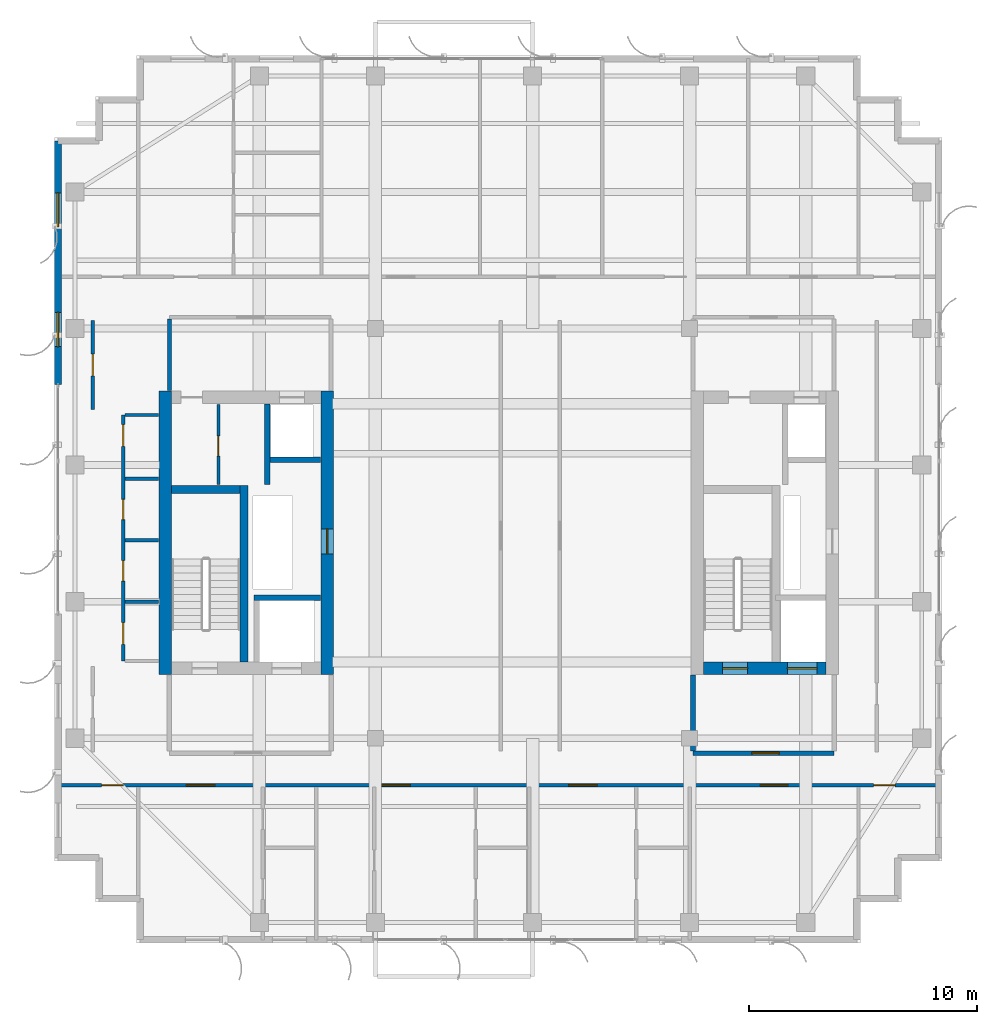
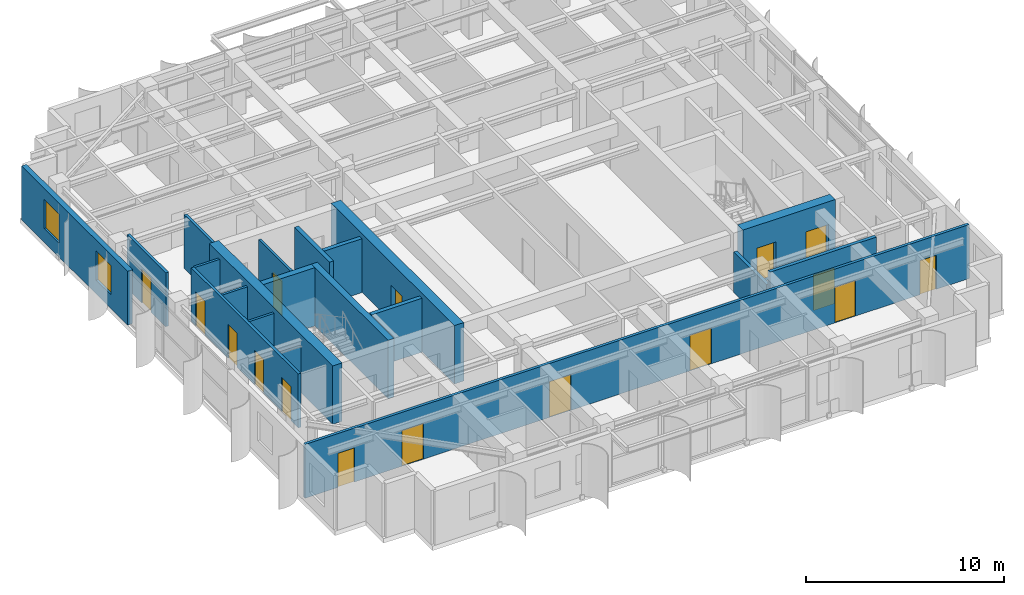
# One storey, part 19 of 23: 20 walls, 16 doors, 2 windows, 18 openings.
"""IFC4 building model written with IfcOpenShell, lengths in metres."""

import ifcopenshell
import ifcopenshell.guid

model = None  # the IFC model being written
_history = None  # IfcOwnerHistory: only IFC2X3 demands one
_inside = {}  # id of a spatial element -> (the spatial element, [elements in it])
_under = {}  # id of a project, library or spatial element -> (it, [spatial elements below it])
_declared = {}  # id of a project -> (the project, [libraries it declares])
_typed = {}  # id of a type object -> (the type object, [elements of that type])
_made_of = {}  # id of a material, layer set ... -> (it, [elements and type objects made of it])


def new_model(schema):
    """Start an empty IFC model of exactly this schema.

    Asked for "IFC4X3", IfcOpenShell would pick the latest addendum, in which some entities
    have other attributes; the version numbers below select the first issue.
    IFC2X3 requires an IfcOwnerHistory on every rooted entity: one is made here for all.
    """
    global model, _history
    if schema == "IFC4X3":
        model = ifcopenshell.file(schema_version=(4, 3, 0, 0))
    else:
        model = ifcopenshell.file(schema=schema)
    _inside.clear()
    _under.clear()
    _declared.clear()
    _typed.clear()
    _made_of.clear()
    _history = None
    if model.schema == "IFC2X3":
        org = make("IfcOrganization", Name="unknown")
        user = make(
            "IfcPersonAndOrganization",
            ThePerson=make("IfcPerson", FamilyName="unknown"),
            TheOrganization=org,
        )
        app = make(
            "IfcApplication",
            ApplicationDeveloper=org,
            Version="unknown",
            ApplicationFullName="unknown",
            ApplicationIdentifier="unknown",
        )
        _history = make(
            "IfcOwnerHistory",
            OwningUser=user,
            OwningApplication=app,
            ChangeAction="ADDED",
            CreationDate=0,
        )
    return model


def make(cls, **values):
    """One entity of the class cls with the attributes given. An attribute that is None is left unset."""
    return model.create_entity(
        cls, **{name: value for name, value in values.items() if value is not None}
    )


def rooted(cls, **values):
    """An entity with a GlobalId (a new one), such as an element, a storey or a relation."""
    return make(cls, GlobalId=ifcopenshell.guid.new(), OwnerHistory=_history, **values)


def si_unit(unit_type, name, prefix=None):
    """IfcSIUnit, for example si_unit("LENGTHUNIT", "METRE", prefix="MILLI")."""
    return make("IfcSIUnit", UnitType=unit_type, Prefix=prefix, Name=name)


def assignment(units):
    """IfcUnitAssignment: the units of a project."""
    return None if units is None else make("IfcUnitAssignment", Units=units)


def point(xyz):
    """IfcCartesianPoint."""
    return None if xyz is None else make("IfcCartesianPoint", Coordinates=xyz)


def direction(xyz):
    """IfcDirection."""
    return None if xyz is None else make("IfcDirection", DirectionRatios=xyz)


def frame(location, z_axis=None, x_axis=None):
    """IfcAxis2Placement3D, a coordinate frame: its origin and axes. An axis left out is left unset."""
    return make(
        "IfcAxis2Placement3D",
        Location=point(location),
        Axis=direction(z_axis),
        RefDirection=direction(x_axis),
    )


def frame_2d(location, x_axis=None):
    """IfcAxis2Placement2D, a coordinate frame in the plane: its origin and x axis."""
    return make(
        "IfcAxis2Placement2D", Location=point(location), RefDirection=direction(x_axis)
    )


def origin():
    """The frame at (0, 0, 0) with its axes left unset."""
    return frame((0.0, 0.0, 0.0))


def place(relative_to, where):
    """IfcLocalPlacement: puts the frame where relative to a parent placement (None: the world)."""
    return make(
        "IfcLocalPlacement", PlacementRelTo=relative_to, RelativePlacement=where
    )


def context(
    kind, dimensions, precision=None, world=None, true_north=None, identifier=None
):
    """IfcGeometricRepresentationContext, for example the 3D "Model" context."""
    return make(
        "IfcGeometricRepresentationContext",
        ContextIdentifier=identifier,
        ContextType=kind,
        CoordinateSpaceDimension=dimensions,
        Precision=precision,
        WorldCoordinateSystem=world,
        TrueNorth=true_north,
    )


def subcontext(parent, identifier, kind, view, scale=None):
    """IfcGeometricRepresentationSubContext, for example "Body" below "Model"."""
    return make(
        "IfcGeometricRepresentationSubContext",
        ContextIdentifier=identifier,
        ContextType=kind,
        ParentContext=parent,
        TargetScale=scale,
        TargetView=view,
    )


def project(units=None, contexts=None):
    """IfcProject with its units and contexts."""
    return rooted(
        "IfcProject",
        Name="project",
        RepresentationContexts=contexts,
        UnitsInContext=assignment(units),
    )


def spatial(cls, under=None, at=None, **own):
    """A site, building, storey or space (cls), placed at a placement, below another one or the project."""
    s = rooted(cls, ObjectPlacement=at, **own)
    if under is not None:
        _under.setdefault(under.id(), (under, []))[1].append(s)
    return s


def profile(cls, at=None, kind="AREA", **sizes):
    """A parametric profile (cls). Its sizes go by their IFC names, for example OverallWidth=200.0."""
    return make(cls, ProfileType=kind, Position=at, **sizes)


def rectangle(**sizes):
    """IfcRectangleProfileDef."""
    return profile("IfcRectangleProfileDef", **sizes)


def extrude(swept, where, along, depth):
    """IfcExtrudedAreaSolid: the profile swept, set in the frame where, extruded along a direction by depth."""
    return make(
        "IfcExtrudedAreaSolid",
        SweptArea=swept,
        Position=where,
        ExtrudedDirection=direction(along),
        Depth=depth,
    )


def shape(context_of_items, identifier, shape_type, items):
    """IfcShapeRepresentation: the items that make up one representation, for example the "Body"."""
    return make(
        "IfcShapeRepresentation",
        ContextOfItems=context_of_items,
        RepresentationIdentifier=identifier,
        RepresentationType=shape_type,
        Items=items,
    )


def source(mapping_origin, context_of_items, identifier, shape_type, items):
    """IfcRepresentationMap: a shape defined once, which mapped items show again and again."""
    return make(
        "IfcRepresentationMap",
        MappingOrigin=mapping_origin,
        MappedRepresentation=shape(context_of_items, identifier, shape_type, items),
    )


def transform(
    local_origin,
    x_axis=None,
    y_axis=None,
    z_axis=None,
    scale=None,
    scale2=None,
    scale3=None,
    uniform=True,
):
    """IfcCartesianTransformationOperator3D, or its non-uniform kind. x_axis, y_axis, z_axis: its Axis1, 2, 3."""
    if uniform:
        return make(
            "IfcCartesianTransformationOperator3D",
            Axis1=direction(x_axis),
            Axis2=direction(y_axis),
            LocalOrigin=point(local_origin),
            Scale=scale,
            Axis3=direction(z_axis),
        )
    return make(
        "IfcCartesianTransformationOperator3DnonUniform",
        Axis1=direction(x_axis),
        Axis2=direction(y_axis),
        LocalOrigin=point(local_origin),
        Scale=scale,
        Axis3=direction(z_axis),
        Scale2=scale2,
        Scale3=scale3,
    )


def mapped(mapping_source, mapping_target):
    """IfcMappedItem: shows the shape of a source again, moved by a transform."""
    return make(
        "IfcMappedItem", MappingSource=mapping_source, MappingTarget=mapping_target
    )


def material(Name=None, Category=None):
    """IfcMaterial."""
    return make("IfcMaterial", Name=Name, Category=Category)


def layer(
    of_material, thickness, ventilated=None, Name=None, Category=None, Priority=None
):
    """IfcMaterialLayer: one layer of a wall or slab, of a material (None: an air gap)."""
    return make(
        "IfcMaterialLayer",
        Material=of_material,
        LayerThickness=thickness,
        IsVentilated=ventilated,
        Name=Name,
        Category=Category,
        Priority=Priority,
    )


def layer_set(layers, Name=None):
    """IfcMaterialLayerSet."""
    return make("IfcMaterialLayerSet", MaterialLayers=layers, LayerSetName=Name)


def made_of(thing, what):
    """Note that an element or type object is made of a material, layer set ...; save() writes the relation."""
    if what is not None:
        _made_of.setdefault(what.id(), (what, []))[1].append(thing)
    return thing


def type_object(cls, material=None, **own):
    """A type object (cls), such as IfcWallType, which elements share."""
    return made_of(rooted(cls, **own), material)


def element(
    cls,
    number,
    at=None,
    inside=None,
    cuts=None,
    type_object=None,
    material=None,
    context=None,
    identifier="Body",
    shape_type=None,
    held_by="IfcProductDefinitionShape",
    body=None,
    shapes=None,
    **own,
):
    """One element of the class cls, such as IfcWall. Its Tag is "e" and its number.

    at: its placement. inside: the storey or other place that contains it. cuts: it is an
    opening in that element (IfcRelVoidsElement). A single representation is given by context,
    identifier, shape_type and body (its items); several are given by shapes. held_by: the class
    of the entity that holds the representations. save() writes the other relations.
    """
    e = rooted(cls, Tag="e%d" % number, ObjectPlacement=at, **own)
    if body is not None:
        shapes = [shape(context, identifier, shape_type, body)]
    if shapes is not None:
        e.Representation = make(held_by, Representations=shapes)
    if inside is not None:
        _inside.setdefault(inside.id(), (inside, []))[1].append(e)
    if cuts is not None:
        rooted(
            "IfcRelVoidsElement", RelatingBuildingElement=cuts, RelatedOpeningElement=e
        )
    if type_object is not None:
        _typed.setdefault(type_object.id(), (type_object, []))[1].append(e)
    return made_of(e, material)


def fill(opening, filler):
    """IfcRelFillsElement: the door or window that sits in an opening."""
    return rooted(
        "IfcRelFillsElement",
        RelatingOpeningElement=opening,
        RelatedBuildingElement=filler,
    )


def aggregate(whole, parts):
    """IfcRelAggregates: a whole, such as a stair, and the parts it consists of."""
    return rooted("IfcRelAggregates", RelatingObject=whole, RelatedObjects=parts)


def save(model, path):
    """Write the relations noted so far, then the file.

    IfcRelAggregates (storeys below a building ...), IfcRelContainedInSpatialStructure (elements
    in a storey), IfcRelDefinesByType, IfcRelAssociatesMaterial and IfcRelDeclares: one each for
    every whole, place, type object, material and project.
    """
    for whole, parts in _under.values():
        aggregate(whole, parts)
    for where, things in _inside.values():
        rooted(
            "IfcRelContainedInSpatialStructure",
            RelatedElements=things,
            RelatingStructure=where,
        )
    for kind, things in _typed.values():
        rooted("IfcRelDefinesByType", RelatedObjects=things, RelatingType=kind)
    for what, things in _made_of.values():
        rooted("IfcRelAssociatesMaterial", RelatedObjects=things, RelatingMaterial=what)
    for by, libraries in _declared.values():
        rooted("IfcRelDeclares", RelatingContext=by, RelatedDefinitions=libraries)
    model.write(path)


model = new_model("IFC4")

# Units and contexts
model_context = context("Model", 3, precision=1e-05, world=origin(), true_north=direction((0.0, 1.0)))
body_context = subcontext(model_context, "Body", "Model", "MODEL_VIEW")
ifc_project = project(units=[si_unit("LENGTHUNIT", "METRE"), si_unit("AREAUNIT", "SQUARE_METRE"), si_unit("VOLUMEUNIT", "CUBIC_METRE"), si_unit("PLANEANGLEUNIT", "RADIAN"), si_unit("MASSUNIT", "GRAM", prefix="KILO")], contexts=[model_context])

# Site, building, storey
site_placement = place(None, origin())
site = spatial("IfcSite", under=ifc_project, at=site_placement, CompositionType="ELEMENT")
building_placement = place(site_placement, origin())
building = spatial("IfcBuilding", under=site, at=building_placement, Name="Khoralis Quay Care Tower", CompositionType="ELEMENT")
storey_placement = place(building_placement, frame((0.0, 0.0, 270.89990234375)))
storey = spatial("IfcBuildingStorey", under=building, at=storey_placement, Name="L71", CompositionType="ELEMENT", Elevation=270.89990234375)

# Wall, opening, door
ifc_material_1 = material(Name="Gypsum plasterboard on acoustic metal stud")
ifc_layer_1 = layer(ifc_material_1, 0.199951171875)
ifc_layer_set_1 = layer_set([ifc_layer_1], Name="Gypsum plasterboard on acoustic metal stud")
wall_type_1 = type_object("IfcWallType", Name="WL-COMP-200", PredefinedType="PARTITIONING", material=ifc_layer_set_1)
wall_1_placement = place(storey_placement, frame((31.050048828125, 11.35009765625, 0.0), z_axis=(0.0, 0.0, 1.0), x_axis=(1.0, 0.0, 0.0)))
wall_1 = element("IfcWall", 1, at=wall_1_placement, inside=storey, type_object=wall_type_1, Name="L71 East Firefighting Lobby South Wall", PredefinedType="PARTITIONING", context=body_context, shape_type="SweptSolid", body=[
    extrude(rectangle(XDim=6.199951171875, YDim=0.199951171875, at=frame_2d((3.10009765625, 0.0))), origin(), (0.0, 0.0, 1.0), 3.320068359375),
])
opening_1_placement = place(wall_1_placement, frame((2.585693359375, 0.0, 0.0)))
opening_1 = element("IfcOpeningElement", 2, at=opening_1_placement, cuts=wall_1, Name="Opening FD1", PredefinedType="OPENING", context=body_context, shape_type="SweptSolid", body=[
    extrude(rectangle(XDim=1.199951171875, YDim=2.199951171875, at=frame_2d((0.60009765625, 1.10009765625))), frame((0.0, 0.10986328125, 0.0), z_axis=(0.0, -1.0, 0.0), x_axis=(1.0, 0.0, 0.0)), (0.0, 0.0, 1.0), 0.219970703125),
])
ifc_material_2 = material(Name="Fire-rated painted steel", Category="steel")
door_type_1 = type_object("IfcDoorType", Name="DR-FFL-1200X2200", OperationType="NOTDEFINED", PredefinedType="DOOR", material=ifc_material_2)
shared_shape_1 = source(origin(), body_context, "Body", "SweptSolid", [
    extrude(rectangle(XDim=1.199951171875, YDim=2.199951171875, at=frame_2d((0.60009765625, 1.10009765625))), frame((0.0, 0.02490234375, 0.0), z_axis=(0.0, -1.0, 0.0), x_axis=(1.0, 0.0, 0.0)), (0.0, 0.0, 1.0), 0.050048828125),
])
door_1_placement = place(opening_1_placement, origin())
door_1 = element("IfcDoor", 3, at=door_1_placement, inside=storey, type_object=door_type_1, Name="L71 East Firefighting Lobby Fire Door", OperationType="SINGLE_SWING_RIGHT", OverallHeight=2.199951171875, OverallWidth=1.199951171875, PredefinedType="DOOR", context=body_context, shape_type="MappedRepresentation", body=[
    mapped(shared_shape_1, transform((0.0, 0.0, 0.0), scale=1.0)),
])
fill(opening_1, door_1)

# Walls
wall_2_placement = place(storey_placement, frame((31.050048828125, 11.445068359375, 0.0), z_axis=(0.0, 0.0, 1.0), x_axis=(0.0, 1.0, 0.0)))
element("IfcWall", 4, at=wall_2_placement, inside=storey, type_object=wall_type_1, Name="L71 East Firefighting Lobby West Wall", PredefinedType="PARTITIONING", context=body_context, shape_type="SweptSolid", body=[
    extrude(rectangle(XDim=3.3349609375, YDim=0.199951171875, at=frame_2d((1.66748046875, 0.0))), origin(), (0.0, 0.0, 1.0), 2.47021484375),
])
ifc_material_3 = material(Name="Concrete C65/80", Category="concrete")
ifc_layer_2 = layer(ifc_material_3, 0.550048828125)
ifc_layer_set_2 = layer_set([ifc_layer_2], Name="Concrete C65/80")
wall_type_2 = type_object("IfcWallType", Name="WL-CORE-550", PredefinedType="SHEAR", material=ifc_layer_set_2)
wall_3_placement = place(storey_placement, frame((7.875, 14.800048828125, 0.0), z_axis=(0.0, 0.0, 1.0), x_axis=(0.0, 1.0, 0.0)))
element("IfcWall", 5, at=wall_3_placement, inside=storey, type_object=wall_type_2, Name="L71 WCORE West Shear Wall", PredefinedType="SHEAR", context=body_context, shape_type="SweptSolid", body=[
    extrude(rectangle(XDim=12.449951171875, YDim=0.550048828125, at=frame_2d((6.22509765625, 0.0))), origin(), (0.0, 0.0, 1.0), 3.60009765625),
])

# Wall, opening, door
wall_4_placement = place(storey_placement, frame((14.97509765625, 14.800048828125, 0.0), z_axis=(0.0, 0.0, 1.0), x_axis=(0.0, 1.0, 0.0)))
wall_4 = element("IfcWall", 6, at=wall_4_placement, inside=storey, type_object=wall_type_2, Name="L71 WCORE East Shear Wall", PredefinedType="SHEAR", context=body_context, shape_type="SweptSolid", body=[
    extrude(rectangle(XDim=12.449951171875, YDim=0.550048828125, at=frame_2d((6.22509765625, 0.0))), origin(), (0.0, 0.0, 1.0), 3.60009765625),
])
opening_2_placement = place(wall_4_placement, frame((5.300048828125, 0.0, 0.0)))
opening_2 = element("IfcOpeningElement", 7, at=opening_2_placement, cuts=wall_4, Name="Opening SD1", PredefinedType="OPENING", context=body_context, shape_type="SweptSolid", body=[
    extrude(rectangle(XDim=1.10009765625, YDim=2.199951171875, at=frame_2d((0.550048828125, 1.10009765625))), frame((0.0, 0.28515625, 0.0), z_axis=(0.0, -1.0, 0.0), x_axis=(1.0, 0.0, 0.0)), (0.0, 0.0, 1.0), 0.570068359375),
])
door_type_2 = type_object("IfcDoorType", Name="DR-STAIR-1100X2200", OperationType="NOTDEFINED", PredefinedType="DOOR", material=ifc_material_2)
shared_shape_2 = source(origin(), body_context, "Body", "SweptSolid", [
    extrude(rectangle(XDim=1.10009765625, YDim=2.199951171875, at=frame_2d((0.550048828125, 1.10009765625))), frame((0.0, 0.02490234375, 0.0), z_axis=(0.0, -1.0, 0.0), x_axis=(1.0, 0.0, 0.0)), (0.0, 0.0, 1.0), 0.050048828125),
])
door_2_placement = place(opening_2_placement, origin())
door_2 = element("IfcDoor", 8, at=door_2_placement, inside=storey, type_object=door_type_2, Name="L71 West MEP Riser Door", OperationType="SINGLE_SWING_LEFT", OverallHeight=2.199951171875, OverallWidth=1.10009765625, PredefinedType="DOOR", context=body_context, shape_type="MappedRepresentation", body=[
    mapped(shared_shape_2, transform((0.0, 0.0, 0.0), scale=1.0)),
])
fill(opening_2, door_2)

# Wall, openings, doors
wall_5_placement = place(storey_placement, frame((31.52001953125, 15.074951171875, 0.0), z_axis=(0.0, 0.0, 1.0), x_axis=(1.0, 0.0, 0.0)))
wall_5 = element("IfcWall", 9, at=wall_5_placement, inside=storey, type_object=wall_type_2, Name="L71 ECORE South Shear Wall", PredefinedType="SHEAR", context=body_context, shape_type="SweptSolid", body=[
    extrude(rectangle(XDim=5.3798828125, YDim=0.550048828125, at=frame_2d((2.68994140625, 0.0))), origin(), (0.0, 0.0, 1.0), 3.60009765625),
])
opening_3_placement = place(wall_5_placement, frame((0.830078125, 0.0, 0.0)))
opening_3 = element("IfcOpeningElement", 10, at=opening_3_placement, cuts=wall_5, Name="Opening SD1", PredefinedType="OPENING", context=body_context, shape_type="SweptSolid", body=[
    extrude(rectangle(XDim=1.10009765625, YDim=2.199951171875, at=frame_2d((0.550048828125, 1.10009765625))), frame((0.0, 0.28515625, 0.0), z_axis=(0.0, -1.0, 0.0), x_axis=(1.0, 0.0, 0.0)), (0.0, 0.0, 1.0), 0.570068359375),
])
opening_4_placement = place(wall_5_placement, frame((3.679931640625, 0.0, 0.0)))
opening_4 = element("IfcOpeningElement", 11, at=opening_4_placement, cuts=wall_5, Name="Opening LD2", PredefinedType="OPENING", context=body_context, shape_type="SweptSolid", body=[
    extrude(rectangle(XDim=1.300048828125, YDim=2.199951171875, at=frame_2d((0.64990234375, 1.10009765625))), frame((0.0, 0.28515625, 0.0), z_axis=(0.0, -1.0, 0.0), x_axis=(1.0, 0.0, 0.0)), (0.0, 0.0, 1.0), 0.570068359375),
])
door_3_placement = place(opening_3_placement, origin())
door_3 = element("IfcDoor", 12, at=door_3_placement, inside=storey, type_object=door_type_2, Name="L71 Stair ST-T2 Fire Door", OperationType="SINGLE_SWING_RIGHT", OverallHeight=2.199951171875, OverallWidth=1.10009765625, PredefinedType="DOOR", context=body_context, shape_type="MappedRepresentation", body=[
    mapped(shared_shape_2, transform((0.0, 0.0, 0.0), scale=1.0)),
])
fill(opening_3, door_3)
ifc_material_4 = material(Name="Brushed stainless steel", Category="steel")
door_type_3 = type_object("IfcDoorType", Name="DR-LIFT-1300X2200", OperationType="SLIDING_TO_RIGHT", PredefinedType="DOOR", material=ifc_material_4)
shared_shape_3 = source(origin(), body_context, "Body", "SweptSolid", [
    extrude(rectangle(XDim=1.300048828125, YDim=2.199951171875, at=frame_2d((0.64990234375, 1.10009765625))), frame((0.0, 0.02490234375, 0.0), z_axis=(0.0, -1.0, 0.0), x_axis=(1.0, 0.0, 0.0)), (0.0, 0.0, 1.0), 0.050048828125),
])
door_4_placement = place(opening_4_placement, origin())
door_4 = element("IfcDoor", 13, at=door_4_placement, inside=storey, type_object=door_type_3, Name="L71 Firefighting Lift FFL-2 Landing Door", OperationType="SLIDING_TO_RIGHT", OverallHeight=2.199951171875, OverallWidth=1.300048828125, PredefinedType="DOOR", context=body_context, shape_type="MappedRepresentation", body=[
    mapped(shared_shape_3, transform((0.0, 0.0, 0.0), scale=1.0)),
])
fill(opening_4, door_4)

# Wall
ifc_layer_3 = layer(ifc_material_1, 0.1650390625)
ifc_layer_set_3 = layer_set([ifc_layer_3], Name="Gypsum plasterboard on acoustic metal stud")
wall_type_3 = type_object("IfcWallType", Name="WL-CORR-165", PredefinedType="PARTITIONING", material=ifc_layer_set_3)
wall_6_placement = place(storey_placement, frame((8.050048828125, 27.27001953125, 0.0), z_axis=(0.0, 0.0, 1.0), x_axis=(0.0, 1.0, 0.0)))
element("IfcWall", 14, at=wall_6_placement, inside=storey, type_object=wall_type_3, Name="L71 West Lift Lobby West Wall", PredefinedType="PARTITIONING", context=body_context, shape_type="SweptSolid", body=[
    extrude(rectangle(XDim=3.152587890625, YDim=0.1650390625, at=frame_2d((1.576171875, 0.0))), origin(), (0.0, 0.0, 1.0), 3.320068359375),
])

# Wall, openings, doors
wall_7_placement = place(storey_placement, frame((6.02001953125, 15.39990234375, 0.0), z_axis=(0.0, 0.0, 1.0), x_axis=(0.0, 1.0, 0.0)))
wall_7 = element("IfcWall", 15, at=wall_7_placement, inside=storey, type_object=wall_type_3, Name="L71 West Core Service Flank Wall", PredefinedType="PARTITIONING", context=body_context, shape_type="SweptSolid", body=[
    extrude(rectangle(XDim=10.800048828125, YDim=0.1650390625, at=frame_2d((5.39990234375, 0.0))), origin(), (0.0, 0.0, 1.0), 3.320068359375),
])
opening_5_placement = place(wall_7_placement, frame((0.72509765625, 0.0, 0.0)))
opening_5 = element("IfcOpeningElement", 16, at=opening_5_placement, cuts=wall_7, Name="Opening ID1", PredefinedType="OPENING", context=body_context, shape_type="SweptSolid", body=[
    extrude(rectangle(XDim=0.949951171875, YDim=2.10009765625, at=frame_2d((0.47509765625, 1.050048828125))), frame((0.0, 0.092529296875, 0.0), z_axis=(0.0, -1.0, 0.0), x_axis=(1.0, 0.0, 0.0)), (0.0, 0.0, 1.0), 0.18505859375),
])
opening_6_placement = place(wall_7_placement, frame((3.5, 0.0, 0.0)))
opening_6 = element("IfcOpeningElement", 17, at=opening_6_placement, cuts=wall_7, Name="Opening WD1", PredefinedType="OPENING", context=body_context, shape_type="SweptSolid", body=[
    extrude(rectangle(XDim=0.89990234375, YDim=2.10009765625, at=frame_2d((0.449951171875, 1.050048828125))), frame((0.0, 0.092529296875, 0.0), z_axis=(0.0, -1.0, 0.0), x_axis=(1.0, 0.0, 0.0)), (0.0, 0.0, 1.0), 0.18505859375),
])
opening_7_placement = place(wall_7_placement, frame((6.199951171875, 0.0, 0.0)))
opening_7 = element("IfcOpeningElement", 18, at=opening_7_placement, cuts=wall_7, Name="Opening WD1", PredefinedType="OPENING", context=body_context, shape_type="SweptSolid", body=[
    extrude(rectangle(XDim=0.89990234375, YDim=2.10009765625, at=frame_2d((0.449951171875, 1.050048828125))), frame((0.0, 0.092529296875, 0.0), z_axis=(0.0, -1.0, 0.0), x_axis=(1.0, 0.0, 0.0)), (0.0, 0.0, 1.0), 0.18505859375),
])
opening_8_placement = place(wall_7_placement, frame((9.425048828125, 0.0, 0.0)))
opening_8 = element("IfcOpeningElement", 19, at=opening_8_placement, cuts=wall_7, Name="Opening ID1", PredefinedType="OPENING", context=body_context, shape_type="SweptSolid", body=[
    extrude(rectangle(XDim=0.949951171875, YDim=2.10009765625, at=frame_2d((0.47509765625, 1.050048828125))), frame((0.0, 0.092529296875, 0.0), z_axis=(0.0, -1.0, 0.0), x_axis=(1.0, 0.0, 0.0)), (0.0, 0.0, 1.0), 0.18505859375),
])
ifc_material_5 = material(Name="Acoustic hardwood timber", Category="wood")
door_type_4 = type_object("IfcDoorType", Name="DR-BATH-900X2100", OperationType="NOTDEFINED", PredefinedType="DOOR", material=ifc_material_5)
shared_shape_4 = source(origin(), body_context, "Body", "SweptSolid", [
    extrude(rectangle(XDim=0.89990234375, YDim=2.10009765625, at=frame_2d((0.449951171875, 1.050048828125))), frame((0.0, 0.02490234375, 0.0), z_axis=(0.0, -1.0, 0.0), x_axis=(1.0, 0.0, 0.0)), (0.0, 0.0, 1.0), 0.050048828125),
])
door_5_placement = place(opening_6_placement, frame((0.89990234375, 0.0, 0.0), z_axis=(0.0, 0.0, 1.0), x_axis=(-1.0, 0.0, 0.0)))
door_5 = element("IfcDoor", 20, at=door_5_placement, inside=storey, type_object=door_type_4, Name="L71 Public Accessible WC Door", OperationType="SINGLE_SWING_LEFT", OverallHeight=2.10009765625, OverallWidth=0.89990234375, PredefinedType="DOOR", context=body_context, shape_type="MappedRepresentation", body=[
    mapped(shared_shape_4, transform((0.0, 0.0, 0.0), scale=1.0)),
])
fill(opening_6, door_5)
door_6_placement = place(opening_7_placement, frame((0.89990234375, 0.0, 0.0), z_axis=(0.0, 0.0, 1.0), x_axis=(-1.0, 0.0, 0.0)))
door_6 = element("IfcDoor", 21, at=door_6_placement, inside=storey, type_object=door_type_4, Name="L71 Staff Accessible WC Door", OperationType="SINGLE_SWING_RIGHT", OverallHeight=2.10009765625, OverallWidth=0.89990234375, PredefinedType="DOOR", context=body_context, shape_type="MappedRepresentation", body=[
    mapped(shared_shape_4, transform((0.0, 0.0, 0.0), scale=1.0)),
])
fill(opening_7, door_6)
door_type_5 = type_object("IfcDoorType", Name="DR-ROOM-950X2100", OperationType="NOTDEFINED", PredefinedType="DOOR", material=ifc_material_5)
shared_shape_5 = source(origin(), body_context, "Body", "SweptSolid", [
    extrude(rectangle(XDim=0.949951171875, YDim=2.10009765625, at=frame_2d((0.47509765625, 1.050048828125))), frame((0.0, 0.02490234375, 0.0), z_axis=(0.0, -1.0, 0.0), x_axis=(1.0, 0.0, 0.0)), (0.0, 0.0, 1.0), 0.050048828125),
])
door_7_placement = place(opening_5_placement, frame((0.949951171875, 0.0, 0.0), z_axis=(0.0, 0.0, 1.0), x_axis=(-1.0, 0.0, 0.0)))
door_7 = element("IfcDoor", 22, at=door_7_placement, inside=storey, type_object=door_type_5, Name="L71 Housekeeping Store Door", OperationType="SINGLE_SWING_RIGHT", OverallHeight=2.10009765625, OverallWidth=0.949951171875, PredefinedType="DOOR", context=body_context, shape_type="MappedRepresentation", body=[
    mapped(shared_shape_5, transform((0.0, 0.0, 0.0), scale=1.0)),
])
fill(opening_5, door_7)
door_8_placement = place(opening_8_placement, frame((0.949951171875, 0.0, 0.0), z_axis=(0.0, 0.0, 1.0), x_axis=(-1.0, 0.0, 0.0)))
door_8 = element("IfcDoor", 23, at=door_8_placement, inside=storey, type_object=door_type_5, Name="L71 Telecom IDF Room Door", OperationType="SINGLE_SWING_LEFT", OverallHeight=2.10009765625, OverallWidth=0.949951171875, PredefinedType="DOOR", context=body_context, shape_type="MappedRepresentation", body=[
    mapped(shared_shape_5, transform((0.0, 0.0, 0.0), scale=1.0)),
])
fill(opening_8, door_8)

wall_8_placement = place(storey_placement, frame((3.14501953125, 9.93994140625, 0.0), z_axis=(0.0, 0.0, 1.0), x_axis=(1.0, 0.0, 0.0)))
wall_8 = element("IfcWall", 24, at=wall_8_placement, inside=storey, type_object=wall_type_3, Name="L71 South Main Corridor Wall", PredefinedType="PARTITIONING", context=body_context, shape_type="SweptSolid", body=[
    extrude(rectangle(XDim=38.7099609375, YDim=0.1650390625, at=frame_2d((19.35498046875, 0.0))), origin(), (0.0, 0.0, 1.0), 3.320068359375),
])
opening_9_placement = place(wall_8_placement, frame((5.64501953125, 0.0, 0.0)))
opening_9 = element("IfcOpeningElement", 25, at=opening_9_placement, cuts=wall_8, Name="Opening CD1", PredefinedType="OPENING", context=body_context, shape_type="SweptSolid", body=[
    extrude(rectangle(XDim=1.25, YDim=2.199951171875, at=frame_2d((0.625, 1.10009765625))), frame((0.0, 0.092529296875, 0.0), z_axis=(0.0, -1.0, 0.0), x_axis=(1.0, 0.0, 0.0)), (0.0, 0.0, 1.0), 0.18505859375),
])
opening_10_placement = place(wall_8_placement, frame((14.235107421875, 0.0, 0.0)))
opening_10 = element("IfcOpeningElement", 26, at=opening_10_placement, cuts=wall_8, Name="Opening CD1", PredefinedType="OPENING", context=body_context, shape_type="SweptSolid", body=[
    extrude(rectangle(XDim=1.25, YDim=2.199951171875, at=frame_2d((0.625, 1.10009765625))), frame((0.0, 0.092529296875, 0.0), z_axis=(0.0, -1.0, 0.0), x_axis=(1.0, 0.0, 0.0)), (0.0, 0.0, 1.0), 0.18505859375),
])
opening_11_placement = place(wall_8_placement, frame((22.43994140625, 0.0, 0.0)))
opening_11 = element("IfcOpeningElement", 27, at=opening_11_placement, cuts=wall_8, Name="Opening CD1", PredefinedType="OPENING", context=body_context, shape_type="SweptSolid", body=[
    extrude(rectangle(XDim=1.25, YDim=2.199951171875, at=frame_2d((0.625, 1.10009765625))), frame((0.0, 0.092529296875, 0.0), z_axis=(0.0, -1.0, 0.0), x_axis=(1.0, 0.0, 0.0)), (0.0, 0.0, 1.0), 0.18505859375),
])
opening_12_placement = place(wall_8_placement, frame((30.8701171875, 0.0, 0.0)))
opening_12 = element("IfcOpeningElement", 28, at=opening_12_placement, cuts=wall_8, Name="Opening FD1", PredefinedType="OPENING", context=body_context, shape_type="SweptSolid", body=[
    extrude(rectangle(XDim=1.199951171875, YDim=2.199951171875, at=frame_2d((0.60009765625, 1.10009765625))), frame((0.0, 0.092529296875, 0.0), z_axis=(0.0, -1.0, 0.0), x_axis=(1.0, 0.0, 0.0)), (0.0, 0.0, 1.0), 0.18505859375),
])
opening_13_placement = place(wall_8_placement, frame((1.919921875, 0.0, 0.0)))
opening_13 = element("IfcOpeningElement", 29, at=opening_13_placement, cuts=wall_8, Name="Opening ID1", PredefinedType="OPENING", context=body_context, shape_type="SweptSolid", body=[
    extrude(rectangle(XDim=0.949951171875, YDim=2.10009765625, at=frame_2d((0.47509765625, 1.050048828125))), frame((0.0, 0.092529296875, 0.0), z_axis=(0.0, -1.0, 0.0), x_axis=(1.0, 0.0, 0.0)), (0.0, 0.0, 1.0), 0.18505859375),
])
opening_14_placement = place(wall_8_placement, frame((35.840087890625, 0.0, 0.0)))
opening_14 = element("IfcOpeningElement", 30, at=opening_14_placement, cuts=wall_8, Name="Opening ID1", PredefinedType="OPENING", context=body_context, shape_type="SweptSolid", body=[
    extrude(rectangle(XDim=0.949951171875, YDim=2.10009765625, at=frame_2d((0.47509765625, 1.050048828125))), frame((0.0, 0.092529296875, 0.0), z_axis=(0.0, -1.0, 0.0), x_axis=(1.0, 0.0, 0.0)), (0.0, 0.0, 1.0), 0.18505859375),
])
door_9_placement = place(opening_12_placement, frame((1.199951171875, 0.0, 0.0), z_axis=(0.0, 0.0, 1.0), x_axis=(-1.0, 0.0, 0.0)))
door_9 = element("IfcDoor", 31, at=door_9_placement, inside=storey, type_object=door_type_1, Name="L71 Assisted Communal Dining Room Door", OperationType="DOUBLE_DOOR_SINGLE_SWING", OverallHeight=2.199951171875, OverallWidth=1.199951171875, PredefinedType="DOOR", context=body_context, shape_type="MappedRepresentation", body=[
    mapped(shared_shape_1, transform((0.0, 0.0, 0.0), scale=1.0)),
])
fill(opening_12, door_9)
door_type_6 = type_object("IfcDoorType", Name="DR-CARE-1250X2200", OperationType="NOTDEFINED", PredefinedType="DOOR", material=ifc_material_5)
shared_shape_6 = source(origin(), body_context, "Body", "SweptSolid", [
    extrude(rectangle(XDim=1.25, YDim=2.199951171875, at=frame_2d((0.625, 1.10009765625))), frame((0.0, 0.02490234375, 0.0), z_axis=(0.0, -1.0, 0.0), x_axis=(1.0, 0.0, 0.0)), (0.0, 0.0, 1.0), 0.050048828125),
])
door_10_placement = place(opening_9_placement, frame((1.25, 0.0, 0.0), z_axis=(0.0, 0.0, 1.0), x_axis=(-1.0, 0.0, 0.0)))
door_10 = element("IfcDoor", 32, at=door_10_placement, inside=storey, type_object=door_type_6, Name="L71 Care Suite SB0 Clinical Door", OperationType="SINGLE_SWING_LEFT", OverallHeight=2.199951171875, OverallWidth=1.25, PredefinedType="DOOR", context=body_context, shape_type="MappedRepresentation", body=[
    mapped(shared_shape_6, transform((0.0, 0.0, 0.0), scale=1.0)),
])
fill(opening_9, door_10)
door_11_placement = place(opening_10_placement, frame((1.25, 0.0, 0.0), z_axis=(0.0, 0.0, 1.0), x_axis=(-1.0, 0.0, 0.0)))
door_11 = element("IfcDoor", 33, at=door_11_placement, inside=storey, type_object=door_type_6, Name="L71 Care Suite SB1 Clinical Door", OperationType="SINGLE_SWING_RIGHT", OverallHeight=2.199951171875, OverallWidth=1.25, PredefinedType="DOOR", context=body_context, shape_type="MappedRepresentation", body=[
    mapped(shared_shape_6, transform((0.0, 0.0, 0.0), scale=1.0)),
])
fill(opening_10, door_11)
door_12_placement = place(opening_11_placement, frame((1.25, 0.0, 0.0), z_axis=(0.0, 0.0, 1.0), x_axis=(-1.0, 0.0, 0.0)))
door_12 = element("IfcDoor", 34, at=door_12_placement, inside=storey, type_object=door_type_6, Name="L71 Care Suite SB2 Clinical Door", OperationType="SINGLE_SWING_LEFT", OverallHeight=2.199951171875, OverallWidth=1.25, PredefinedType="DOOR", context=body_context, shape_type="MappedRepresentation", body=[
    mapped(shared_shape_6, transform((0.0, 0.0, 0.0), scale=1.0)),
])
fill(opening_11, door_12)
door_13_placement = place(opening_13_placement, frame((0.949951171875, 0.0, 0.0), z_axis=(0.0, 0.0, 1.0), x_axis=(-1.0, 0.0, 0.0)))
door_13 = element("IfcDoor", 35, at=door_13_placement, inside=storey, type_object=door_type_5, Name="L71 SW Corner Door", OperationType="SINGLE_SWING_LEFT", OverallHeight=2.10009765625, OverallWidth=0.949951171875, PredefinedType="DOOR", context=body_context, shape_type="MappedRepresentation", body=[
    mapped(shared_shape_5, transform((0.0, 0.0, 0.0), scale=1.0)),
])
fill(opening_13, door_13)
door_14_placement = place(opening_14_placement, frame((0.949951171875, 0.0, 0.0), z_axis=(0.0, 0.0, 1.0), x_axis=(-1.0, 0.0, 0.0)))
door_14 = element("IfcDoor", 36, at=door_14_placement, inside=storey, type_object=door_type_5, Name="L71 SE Corner Door", OperationType="SINGLE_SWING_RIGHT", OverallHeight=2.10009765625, OverallWidth=0.949951171875, PredefinedType="DOOR", context=body_context, shape_type="MappedRepresentation", body=[
    mapped(shared_shape_5, transform((0.0, 0.0, 0.0), scale=1.0)),
])
fill(opening_14, door_14)

# Wall, opening, door
wall_9_placement = place(storey_placement, frame((4.679931640625, 26.449951171875, 0.0), z_axis=(0.0, 0.0, 1.0), x_axis=(0.0, 1.0, 0.0)))
wall_9 = element("IfcWall", 37, at=wall_9_placement, inside=storey, type_object=wall_type_3, Name="L71 West Sky Sunroom North Wall", PredefinedType="PARTITIONING", context=body_context, shape_type="SweptSolid", body=[
    extrude(rectangle(XDim=3.900146484375, YDim=0.1650390625, at=frame_2d((1.9501953125, 0.0))), origin(), (0.0, 0.0, 1.0), 3.320068359375),
])
opening_15_placement = place(wall_9_placement, frame((1.47509765625, 0.0, 0.0)))
opening_15 = element("IfcOpeningElement", 38, at=opening_15_placement, cuts=wall_9, Name="Opening ID1", PredefinedType="OPENING", context=body_context, shape_type="SweptSolid", body=[
    extrude(rectangle(XDim=0.949951171875, YDim=2.10009765625, at=frame_2d((0.47509765625, 1.050048828125))), frame((0.0, 0.092529296875, 0.0), z_axis=(0.0, -1.0, 0.0), x_axis=(1.0, 0.0, 0.0)), (0.0, 0.0, 1.0), 0.18505859375),
])
door_15_placement = place(opening_15_placement, frame((0.949951171875, 0.0, 0.0), z_axis=(0.0, 0.0, 1.0), x_axis=(-1.0, 0.0, 0.0)))
door_15 = element("IfcDoor", 39, at=door_15_placement, inside=storey, type_object=door_type_5, Name="L71 West Study Door", OperationType="SINGLE_SWING_RIGHT", OverallHeight=2.10009765625, OverallWidth=0.949951171875, PredefinedType="DOOR", context=body_context, shape_type="MappedRepresentation", body=[
    mapped(shared_shape_5, transform((0.0, 0.0, 0.0), scale=1.0)),
])
fill(opening_15, door_15)

# Wall, openings, windows
ifc_material_6 = material(Name="Precast concrete C45/55", Category="concrete")
ifc_layer_4 = layer(ifc_material_6, 0.300048828125)
ifc_layer_set_4 = layer_set([ifc_layer_4], Name="Precast concrete C45/55")
wall_type_4 = type_object("IfcWallType", Name="WL-EXT-REF-300", PredefinedType="SOLIDWALL", material=ifc_layer_set_4)
wall_10_placement = place(storey_placement, frame((3.14990234375, 38.25, 0.0), z_axis=(0.0, 0.0, 1.0), x_axis=(0.0, -1.0, 0.0)))
wall_10 = element("IfcWall", 40, at=wall_10_placement, inside=storey, type_object=wall_type_4, Name="L71 External Facade Wall WL-EXT-L71-P1-E15A", PredefinedType="SOLIDWALL", context=body_context, shape_type="SweptSolid", body=[
    extrude(rectangle(XDim=10.7099609375, YDim=0.300048828125, at=frame_2d((5.35498046875, 0.0))), origin(), (0.0, 0.0, 1.0), 3.320068359375),
])
opening_16_placement = place(wall_10_placement, frame((2.284912109375, 0.0, 0.85009765625)))
opening_16 = element("IfcOpeningElement", 41, at=opening_16_placement, cuts=wall_10, Name="Opening W3", PredefinedType="OPENING", context=body_context, shape_type="SweptSolid", body=[
    extrude(rectangle(XDim=1.5, YDim=1.800048828125, at=frame_2d((0.75, 0.89990234375))), frame((0.0, 0.16015625, 0.0), z_axis=(0.0, -1.0, 0.0), x_axis=(1.0, 0.0, 0.0)), (0.0, 0.0, 1.0), 0.320068359375),
])
opening_17_placement = place(wall_10_placement, frame((7.5400390625, 0.0, 0.85009765625)))
opening_17 = element("IfcOpeningElement", 42, at=opening_17_placement, cuts=wall_10, Name="Opening W3", PredefinedType="OPENING", context=body_context, shape_type="SweptSolid", body=[
    extrude(rectangle(XDim=1.5, YDim=1.800048828125, at=frame_2d((0.75, 0.89990234375))), frame((0.0, 0.16015625, 0.0), z_axis=(0.0, -1.0, 0.0), x_axis=(1.0, 0.0, 0.0)), (0.0, 0.0, 1.0), 0.320068359375),
])
ifc_material_7 = material(Name="Low-E solar-control double glazing", Category="glass")
window_type = type_object("IfcWindowType", Name="WN-CLIN-1500X1800", PartitioningType="SINGLE_PANEL", PredefinedType="WINDOW", material=ifc_material_7)
shared_shape_7 = source(origin(), body_context, "Body", "SweptSolid", [
    extrude(rectangle(XDim=1.5, YDim=1.800048828125, at=frame_2d((0.75, 0.89990234375))), frame((0.0, 0.030029296875, 0.0), z_axis=(0.0, -1.0, 0.0), x_axis=(1.0, 0.0, 0.0)), (0.0, 0.0, 1.0), 0.06005859375),
])
window_1_placement = place(opening_16_placement, origin())
window_1 = element("IfcWindow", 43, at=window_1_placement, inside=storey, type_object=window_type, Name="WN-L71-P1-E15A Facade Window 01", OverallHeight=1.800048828125, OverallWidth=1.5, PartitioningType="SINGLE_PANEL", PredefinedType="WINDOW", context=body_context, shape_type="MappedRepresentation", body=[
    mapped(shared_shape_7, transform((0.0, 0.0, 0.0), scale=1.0)),
])
fill(opening_16, window_1)
window_2_placement = place(opening_17_placement, origin())
window_2 = element("IfcWindow", 44, at=window_2_placement, inside=storey, type_object=window_type, Name="WN-L71-P1-E15A Facade Window 02", OverallHeight=1.800048828125, OverallWidth=1.5, PartitioningType="SINGLE_PANEL", PredefinedType="WINDOW", context=body_context, shape_type="MappedRepresentation", body=[
    mapped(shared_shape_7, transform((0.0, 0.0, 0.0), scale=1.0)),
])
fill(opening_17, window_2)

# Walls
ifc_material_8 = material(Name="Moisture-resistant gypsum and ceramic tile")
ifc_layer_5 = layer(ifc_material_8, 0.280029296875)
ifc_layer_set_5 = layer_set([ifc_layer_5], Name="Moisture-resistant gypsum and ceramic tile")
wall_type_5 = type_object("IfcWallType", Name="WL-PLUMB-280", PredefinedType="PLUMBINGWALL", material=ifc_layer_set_5)
wall_11_placement = place(storey_placement, frame((6.097412109375, 18.0, 0.0), z_axis=(0.0, 0.0, 1.0), x_axis=(1.0, 0.0, 0.0)))
element("IfcWall", 45, at=wall_11_placement, inside=storey, type_object=wall_type_5, Name="L71 West Flank Divider 1", PredefinedType="PLUMBINGWALL", context=body_context, shape_type="SweptSolid", body=[
    extrude(rectangle(XDim=1.462646484375, YDim=0.139892578125, at=frame_2d((0.7314453125, 0.0))), origin(), (0.0, 0.0, 1.0), 2.920166015625),
])
wall_12_placement = place(storey_placement, frame((6.097412109375, 20.699951171875, 0.0), z_axis=(0.0, 0.0, 1.0), x_axis=(1.0, 0.0, 0.0)))
element("IfcWall", 46, at=wall_12_placement, inside=storey, type_object=wall_type_5, Name="L71 West Flank Divider 2", PredefinedType="PLUMBINGWALL", context=body_context, shape_type="SweptSolid", body=[
    extrude(rectangle(XDim=1.462646484375, YDim=0.139892578125, at=frame_2d((0.7314453125, 0.0))), origin(), (0.0, 0.0, 1.0), 3.320068359375),
])
ifc_material_9 = material(Name="Concrete C40/50", Category="concrete")
ifc_layer_6 = layer(ifc_material_9, 0.35009765625)
ifc_layer_set_6 = layer_set([ifc_layer_6], Name="Concrete C40/50")
wall_type_6 = type_object("IfcWallType", Name="WL-SC-CORE-350", PredefinedType="SHEAR", material=ifc_layer_set_6)
wall_13_placement = place(storey_placement, frame((11.324951171875, 15.35009765625, 0.0), z_axis=(0.0, 0.0, 1.0), x_axis=(0.0, 1.0, 0.0)))
element("IfcWall", 47, at=wall_13_placement, inside=storey, type_object=wall_type_6, Name="L71 Stair ST-T1 Shear Baffle Wall East", PredefinedType="SHEAR", context=body_context, shape_type="SweptSolid", body=[
    extrude(rectangle(XDim=7.75, YDim=0.35009765625, at=frame_2d((3.875, 0.0))), origin(), (0.0, 0.0, 1.0), 3.60009765625),
])
wall_14_placement = place(storey_placement, frame((8.14990234375, 22.925048828125, 0.0), z_axis=(0.0, 0.0, 1.0), x_axis=(1.0, 0.0, 0.0)))
element("IfcWall", 48, at=wall_14_placement, inside=storey, type_object=wall_type_6, Name="L71 Stair ST-T1 Shear Baffle Wall North", PredefinedType="SHEAR", context=body_context, shape_type="SweptSolid", body=[
    extrude(rectangle(XDim=3.0, YDim=0.35009765625, at=frame_2d((1.5, 0.0))), origin(), (0.0, 0.0, 1.0), 3.60009765625),
])
ifc_layer_7 = layer(ifc_material_1, 0.239990234375)
ifc_layer_set_7 = layer_set([ifc_layer_7], Name="Gypsum plasterboard on acoustic metal stud")
wall_type_7 = type_object("IfcWallType", Name="WL-SHAFT-240", PredefinedType="PARTITIONING", material=ifc_layer_set_7)
wall_15_placement = place(storey_placement, frame((11.760009765625, 18.169921875, 0.0), z_axis=(0.0, 0.0, 1.0), x_axis=(1.0, 0.0, 0.0)))
element("IfcWall", 49, at=wall_15_placement, inside=storey, type_object=wall_type_7, Name="L71 FFL-1 Shaft Wall North", PredefinedType="PARTITIONING", context=body_context, shape_type="SweptSolid", body=[
    extrude(rectangle(XDim=2.919921875, YDim=0.239990234375, at=frame_2d((1.4599609375, 0.0))), origin(), (0.0, 0.0, 1.0), 3.320068359375),
])
wall_16_placement = place(storey_placement, frame((12.35009765625, 23.139892578125, 0.0), z_axis=(0.0, 0.0, 1.0), x_axis=(0.0, 1.0, 0.0)))
element("IfcWall", 50, at=wall_16_placement, inside=storey, type_object=wall_type_7, Name="L71 High-Rise Reclaimed Bay Wall West", PredefinedType="PARTITIONING", context=body_context, shape_type="SweptSolid", body=[
    extrude(rectangle(XDim=3.5400390625, YDim=0.239990234375, at=frame_2d((1.77001953125, 0.0))), origin(), (0.0, 0.0, 1.0), 3.320068359375),
])
wall_17_placement = place(storey_placement, frame((12.465087890625, 24.22998046875, 0.0), z_axis=(0.0, 0.0, 1.0), x_axis=(1.0, 0.0, 0.0)))
element("IfcWall", 51, at=wall_17_placement, inside=storey, type_object=wall_type_7, Name="L71 High-Rise Shaft South Wall West", PredefinedType="PARTITIONING", context=body_context, shape_type="SweptSolid", body=[
    extrude(rectangle(XDim=2.21484375, YDim=0.239990234375, at=frame_2d((1.107421875, 0.0))), origin(), (0.0, 0.0, 1.0), 3.320068359375),
])

# Wall, opening, door
ifc_layer_8 = layer(ifc_material_1, 0.139892578125)
ifc_layer_set_8 = layer_set([ifc_layer_8], Name="Gypsum plasterboard on acoustic metal stud")
wall_type_8 = type_object("IfcWallType", Name="WL-UNIT-140", PredefinedType="PARTITIONING", material=ifc_layer_set_8)
wall_18_placement = place(storey_placement, frame((10.199951171875, 23.139892578125, 0.0), z_axis=(0.0, 0.0, 1.0), x_axis=(0.0, 1.0, 0.0)))
wall_18 = element("IfcWall", 52, at=wall_18_placement, inside=storey, type_object=wall_type_8, Name="L71 High-Rise West Core Split V", PredefinedType="PARTITIONING", context=body_context, shape_type="SweptSolid", body=[
    extrude(rectangle(XDim=3.52001953125, YDim=0.139892578125, at=frame_2d((1.760009765625, 0.0))), origin(), (0.0, 0.0, 1.0), 3.320068359375),
])
opening_18_placement = place(wall_18_placement, frame((1.25, 0.0, 0.0)))
opening_18 = element("IfcOpeningElement", 53, at=opening_18_placement, cuts=wall_18, Name="Opening WD1", PredefinedType="OPENING", context=body_context, shape_type="SweptSolid", body=[
    extrude(rectangle(XDim=0.89990234375, YDim=2.10009765625, at=frame_2d((0.449951171875, 1.050048828125))), frame((0.0, 0.080078125, 0.0), z_axis=(0.0, -1.0, 0.0), x_axis=(1.0, 0.0, 0.0)), (0.0, 0.0, 1.0), 0.159912109375),
])
door_16_placement = place(opening_18_placement, frame((0.89990234375, 0.0, 0.0), z_axis=(0.0, 0.0, 1.0), x_axis=(-1.0, 0.0, 0.0)))
door_16 = element("IfcDoor", 54, at=door_16_placement, inside=storey, type_object=door_type_4, Name="L71 Linen Store Door", OperationType="SINGLE_SWING_LEFT", OverallHeight=2.10009765625, OverallWidth=0.89990234375, PredefinedType="DOOR", context=body_context, shape_type="MappedRepresentation", body=[
    mapped(shared_shape_4, transform((0.0, 0.0, 0.0), scale=1.0)),
])
fill(opening_18, door_16)

# Walls
for number, where, z_axis, x_axis, name in (
    (55, (6.097412109375, 26.199951171875, 0.0), (0.0, 0.0, 1.0), (1.0, 0.0, 0.0), "L71 West Flank North Cap"),
    (56, (6.097412109375, 23.39990234375, 0.0), (0.0, 0.0, 1.0), (1.0, 0.0, 0.0), "L71 West Flank Divider 3"),
):
    element("IfcWall", number, at=place(storey_placement, frame(where, z_axis=z_axis, x_axis=x_axis)), inside=storey, type_object=wall_type_8, Name=name, PredefinedType="PARTITIONING", context=body_context, shape_type="SweptSolid", body=[
        extrude(rectangle(XDim=1.462646484375, YDim=0.139892578125, at=frame_2d((0.7314453125, 0.0))), origin(), (0.0, 0.0, 1.0), 3.320068359375),
    ])

save(model, "model.ifc")
